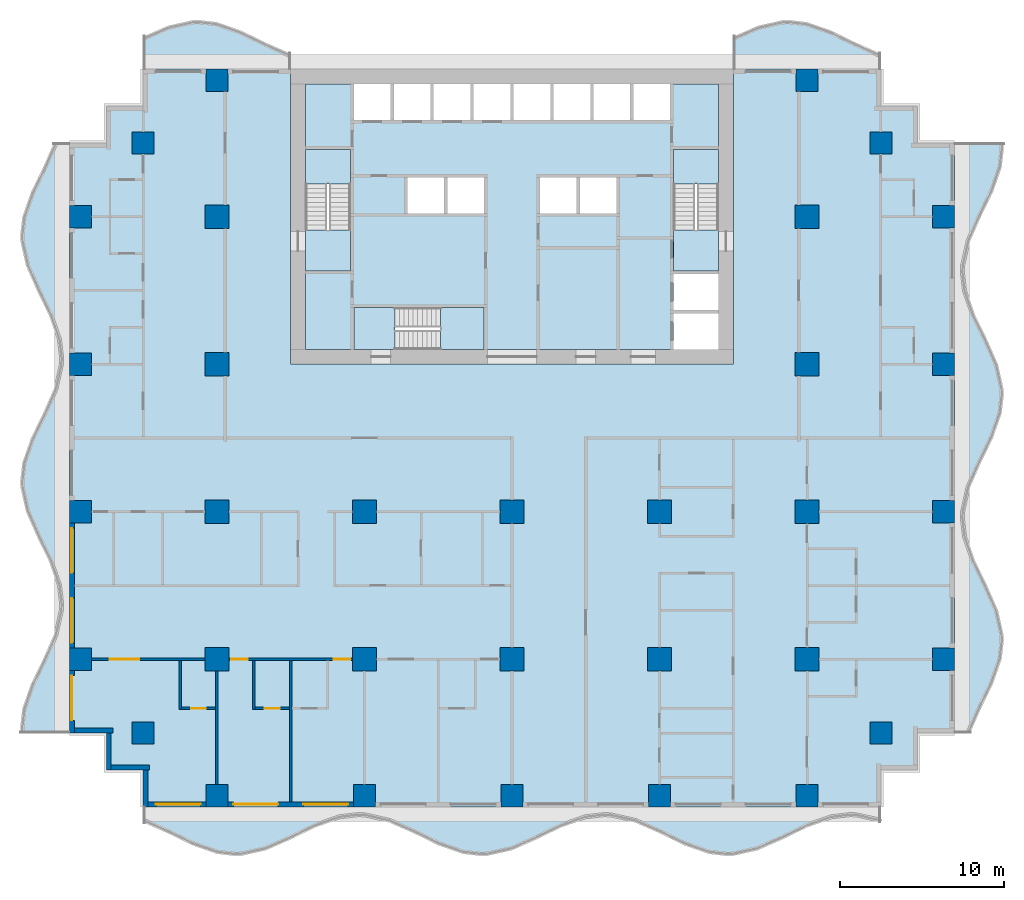
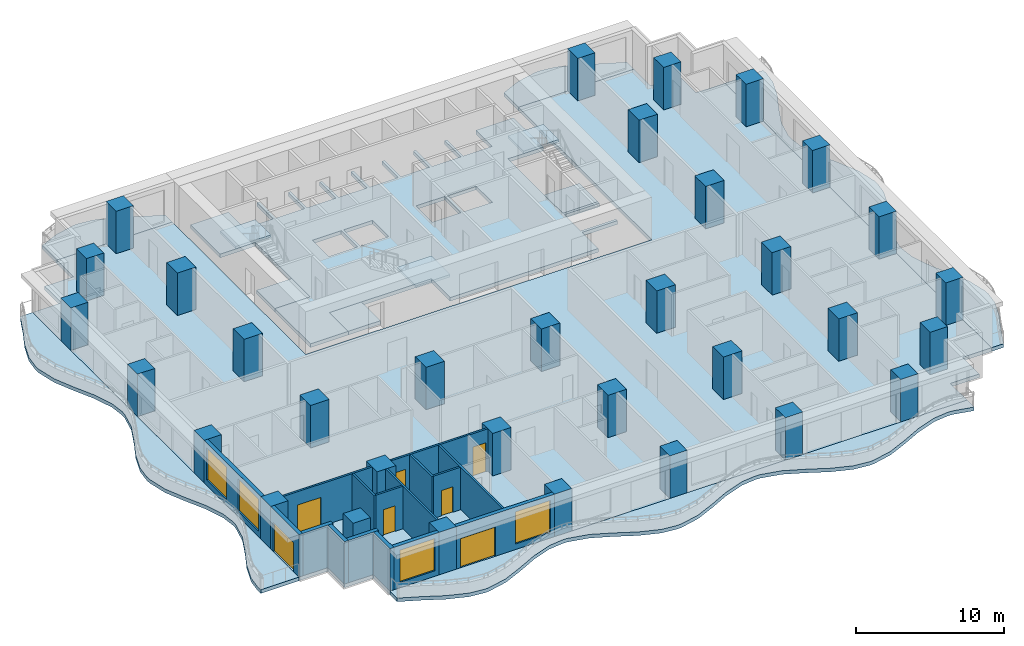
# One storey, part 1 of 14: 33 columns, 16 walls, 13 slabs, 7 doors, 4 windows, 11 openings, 3 elements without a shape of their own.
"""IFC4 building model written with IfcOpenShell, lengths in metres."""

from ifc_helpers import new_model, si_unit, direction, frame, frame_2d, origin, origin_2d, place, context, subcontext, project, spatial, polyline, rectangle, outline, extrude, material, layer, layer_set, material_profile, profile_set, type_object, element, fill, aggregate, save


model = new_model("IFC4")

# Units and contexts
model_context = context("Model", 3, precision=1e-05, world=origin(), true_north=direction((0.0, 1.0)))
body_context = subcontext(model_context, "Body", "Model", "MODEL_VIEW")
ifc_project = project(units=[si_unit("LENGTHUNIT", "METRE"), si_unit("AREAUNIT", "SQUARE_METRE"), si_unit("VOLUMEUNIT", "CUBIC_METRE"), si_unit("PLANEANGLEUNIT", "RADIAN"), si_unit("MASSUNIT", "GRAM", prefix="KILO")], contexts=[model_context])

# Site, building, storey
site_placement = place(None, origin())
site = spatial("IfcSite", under=ifc_project, at=site_placement, CompositionType="ELEMENT")
building_placement = place(site_placement, origin())
building = spatial("IfcBuilding", under=site, at=building_placement, Name="Orbiselva Terraces", CompositionType="ELEMENT")
storey_placement = place(building_placement, frame((0.0, 0.0, 73.2)))
storey = spatial("IfcBuildingStorey", under=building, at=storey_placement, Name="L18", CompositionType="ELEMENT", Elevation=73.2)

# Columns
ifc_material_1 = material(Name="Concrete C70/85", Category="concrete")
ifc_material_profile_1 = material_profile(ifc_material_1, rectangle(XDim=1.45, YDim=1.45, at=origin_2d()), Name="RC 1450x1450")
ifc_profile_set_1 = profile_set([ifc_material_profile_1], Name="Concrete C70/85")
column_type_1 = type_object("IfcColumnType", Name="COLUMN RC 1450x1450", PredefinedType="COLUMN", material=ifc_profile_set_1)
for number, where, z_axis, x_axis, name in (
    (1, (-18.0, -13.5, 0.0), (0.0, 0.0, 1.0), (1.0, 0.0, 0.0), "Column L18-01"),
    (2, (-18.0, -4.5, 0.0), (0.0, 0.0, 1.0), (1.0, 0.0, 0.0), "Column L18-03"),
    (3, (-18.0, 13.5, 0.0), (0.0, 0.0, 1.0), (1.0, 0.0, 0.0), "Column L18-04"),
    (4, (-18.0, 4.5, 0.0), (0.0, 0.0, 1.0), (1.0, 0.0, 0.0), "Column L18-06"),
    (5, (-9.0, -13.5, 0.0), (0.0, 0.0, 1.0), (1.0, 0.0, 0.0), "Column L18-13"),
    (6, (-9.0, -4.5, 0.0), (0.0, 0.0, 1.0), (1.0, 0.0, 0.0), "Column L18-15"),
    (7, (0.0, -13.5, 0.0), (0.0, 0.0, 1.0), (1.0, 0.0, 0.0), "Column L18-16"),
    (8, (0.0, -4.5, 0.0), (0.0, 0.0, 1.0), (1.0, 0.0, 0.0), "Column L18-18"),
    (9, (18.0, -13.5, 0.0), (0.0, 0.0, 1.0), (1.0, 0.0, 0.0), "Column L18-19"),
    (10, (18.0, -4.5, 0.0), (0.0, 0.0, 1.0), (1.0, 0.0, 0.0), "Column L18-21"),
    (11, (18.0, 13.5, 0.0), (0.0, 0.0, 1.0), (1.0, 0.0, 0.0), "Column L18-22"),
    (12, (18.0, 4.5, 0.0), (0.0, 0.0, 1.0), (1.0, 0.0, 0.0), "Column L18-24"),
    (13, (9.0, -13.5, 0.0), (0.0, 0.0, 1.0), (1.0, 0.0, 0.0), "Column L18-31"),
    (14, (9.0, -4.5, 0.0), (0.0, 0.0, 1.0), (1.0, 0.0, 0.0), "Column L18-33"),
):
    element("IfcColumn", number, at=place(storey_placement, frame(where, z_axis=z_axis, x_axis=x_axis)), inside=storey, type_object=column_type_1, Name=name, PredefinedType="COLUMN", context=body_context, shape_type="SweptSolid", body=[
        extrude(rectangle(XDim=1.45, YDim=1.45, at=origin_2d()), origin(), (0.0, 0.0, 1.0), 3.5),
    ])
ifc_material_profile_2 = material_profile(ifc_material_1, rectangle(XDim=1.35, YDim=1.35, at=origin_2d()), Name="RC 1350x1350")
ifc_profile_set_2 = profile_set([ifc_material_profile_2], Name="Concrete C70/85")
column_type_2 = type_object("IfcColumnType", Name="PERIMETER COLUMN RC 1350x1350", PredefinedType="COLUMN", material=ifc_profile_set_2)
for number, where, z_axis, x_axis, name in (
    (15, (-18.0, -21.825, 0.0), (0.0, 0.0, 1.0), (1.0, 0.0, 0.0), "Column L18-02"),
    (16, (-18.0, 21.825, 0.0), (0.0, 0.0, 1.0), (1.0, 0.0, 0.0), "Column L18-05"),
    (17, (-26.325, -13.5, 0.0), (0.0, 0.0, 1.0), (1.0, 0.0, 0.0), "Column L18-07"),
    (18, (-22.5, -18.0, 0.0), (0.0, 0.0, 1.0), (1.0, 0.0, 0.0), "Column L18-08"),
    (19, (-26.325, -4.5, 0.0), (0.0, 0.0, 1.0), (1.0, 0.0, 0.0), "Column L18-09"),
    (20, (-26.325, 13.5, 0.0), (0.0, 0.0, 1.0), (1.0, 0.0, 0.0), "Column L18-10"),
    (21, (-22.5, 18.0, 0.0), (0.0, 0.0, 1.0), (1.0, 0.0, 0.0), "Column L18-11"),
    (22, (-26.325, 4.5, 0.0), (0.0, 0.0, 1.0), (1.0, 0.0, 0.0), "Column L18-12"),
    (23, (-9.0, -21.825, 0.0), (0.0, 0.0, 1.0), (1.0, 0.0, 0.0), "Column L18-14"),
    (24, (0.0, -21.825, 0.0), (0.0, 0.0, 1.0), (1.0, 0.0, 0.0), "Column L18-17"),
    (25, (18.0, -21.825, 0.0), (0.0, 0.0, 1.0), (1.0, 0.0, 0.0), "Column L18-20"),
    (26, (18.0, 21.825, 0.0), (0.0, 0.0, 1.0), (1.0, 0.0, 0.0), "Column L18-23"),
    (27, (26.325, -13.5, 0.0), (0.0, 0.0, 1.0), (1.0, 0.0, 0.0), "Column L18-25"),
    (28, (22.5, -18.0, 0.0), (0.0, 0.0, 1.0), (1.0, 0.0, 0.0), "Column L18-26"),
    (29, (26.325, -4.5, 0.0), (0.0, 0.0, 1.0), (1.0, 0.0, 0.0), "Column L18-27"),
    (30, (26.325, 13.5, 0.0), (0.0, 0.0, 1.0), (1.0, 0.0, 0.0), "Column L18-28"),
    (31, (22.5, 18.0, 0.0), (0.0, 0.0, 1.0), (1.0, 0.0, 0.0), "Column L18-29"),
    (32, (26.325, 4.5, 0.0), (0.0, 0.0, 1.0), (1.0, 0.0, 0.0), "Column L18-30"),
    (33, (9.0, -21.825, 0.0), (0.0, 0.0, 1.0), (1.0, 0.0, 0.0), "Column L18-32"),
):
    element("IfcColumn", number, at=place(storey_placement, frame(where, z_axis=z_axis, x_axis=x_axis)), inside=storey, type_object=column_type_2, Name=name, PredefinedType="COLUMN", context=body_context, shape_type="SweptSolid", body=[
        extrude(rectangle(XDim=1.35, YDim=1.35, at=origin_2d()), origin(), (0.0, 0.0, 1.0), 3.5),
    ])

# Slabs
ifc_material_2 = material(Name="Concrete C40/50", Category="concrete")
ifc_layer_1 = layer(ifc_material_2, 0.3)
ifc_layer_set_1 = layer_set([ifc_layer_1], Name="Concrete C40/50")
slab_type_1 = type_object("IfcSlabType", Name="CORE-SLAB-FLOOR-300", PredefinedType="FLOOR", material=ifc_layer_set_1)
slab_1_placement = place(storey_placement, frame((0.0, 0.0, -0.3)))
element("IfcSlab", 34, at=slab_1_placement, inside=storey, type_object=slab_type_1, Name="L18 S1 floor landing", PredefinedType="FLOOR", context=body_context, shape_type="SweptSolid", body=[
    extrude(outline(polyline([(-12.6, 12.7), (-9.85, 12.7), (-9.85, 10.2), (-12.6, 10.2), (-12.6, 12.7)])), origin(), (0.0, 0.0, 1.0), 0.3),
])
slab_2_placement = place(storey_placement, frame((0.0, 0.0, -0.3)))
element("IfcSlab", 35, at=slab_2_placement, inside=storey, type_object=slab_type_1, Name="L18 S2 floor landing", PredefinedType="FLOOR", context=body_context, shape_type="SweptSolid", body=[
    extrude(outline(polyline([(12.6, 12.7), (12.6, 10.2), (9.85, 10.2), (9.85, 12.7), (12.6, 12.7)])), origin(), (0.0, 0.0, 1.0), 0.3),
])
slab_3_placement = place(storey_placement, frame((0.0, 0.0, -0.3)))
element("IfcSlab", 36, at=slab_3_placement, inside=storey, type_object=slab_type_1, Name="L18 S3 floor landing", PredefinedType="FLOOR", context=body_context, shape_type="SweptSolid", body=[
    extrude(outline(polyline([(-7.15, 5.4), (-9.65, 5.4), (-9.65, 7.95), (-7.15, 7.95), (-7.15, 5.4)])), origin(), (0.0, 0.0, 1.0), 0.3),
])
slab_4_placement = place(storey_placement, frame((0.0, 0.0, -0.3)))
element("IfcSlab", 37, at=slab_4_placement, inside=storey, type_object=slab_type_1, Name="L18 core floor slab 1", PredefinedType="FLOOR", context=body_context, shape_type="SweptSolid", body=[
    extrude(outline(polyline([(-1.7, 5.4), (-1.7, 7.95), (-9.65, 7.95), (-9.65, 5.4), (-12.6, 5.4), (-12.6, 10.2), (-9.85, 10.2), (-9.85, 17.6), (-12.6, 17.6), (-12.6, 21.6), (-9.65, 21.6), (-9.65, 19.4), (-7.4125, 19.4), (-7.4125, 21.6), (-7.2125, 21.6), (-7.2125, 19.4), (-4.975, 19.4), (-4.975, 21.6), (-4.775, 21.6), (-4.775, 19.4), (-2.5375, 19.4), (-2.5375, 21.6), (-2.3375, 21.6), (-2.3375, 19.4), (-0.1, 19.4), (-0.1, 21.6), (0.1, 21.6), (0.1, 19.4), (2.3375, 19.4), (2.3375, 21.6), (2.5375, 21.6), (2.5375, 19.4), (4.775, 19.4), (4.775, 21.6), (4.975, 21.6), (4.975, 19.4), (7.2125, 19.4), (7.2125, 21.6), (7.4125, 21.6), (7.4125, 19.4), (9.65, 19.4), (9.65, 21.6), (12.6, 21.6), (12.6, 17.6), (9.85, 17.6), (9.85, 10.2), (12.6, 10.2), (12.6, 10.0), (9.85, 10.0), (9.85, 7.8), (12.6, 7.8), (12.6, 7.6), (9.85, 7.6), (9.85, 5.4), (-1.7, 5.4)]), holes=[polyline([(-4.1375, 13.7), (-4.1375, 15.9), (-6.375, 15.9), (-6.375, 13.7), (-4.1375, 13.7)]), polyline([(-1.7, 13.7), (-1.7, 15.9), (-3.9375, 15.9), (-3.9375, 13.7), (-1.7, 13.7)]), polyline([(3.9375, 13.7), (3.9375, 15.9), (1.7, 15.9), (1.7, 13.7), (3.9375, 13.7)]), polyline([(6.375, 13.7), (6.375, 15.9), (4.1375, 15.9), (4.1375, 13.7), (6.375, 13.7)])]), origin(), (0.0, 0.0, 1.0), 0.3),
])

# Stair, slab
stair_type_1 = type_object("IfcStairType", Name="CORE-STAIR-1300", PredefinedType="HALF_TURN_STAIR", material=ifc_material_2)
stair_1_placement = place(storey_placement, origin())
stair_1 = element("IfcStair", 38, at=stair_1_placement, inside=storey, type_object=stair_type_1, Name="L18 Exit Stair S1", PredefinedType="HALF_TURN_STAIR")
ifc_layer_2 = layer(ifc_material_2, 0.2)
ifc_layer_set_2 = layer_set([ifc_layer_2], Name="Concrete C40/50")
slab_type_2 = type_object("IfcSlabType", Name="CORE-STAIR-LANDING-200", PredefinedType="LANDING", material=ifc_layer_set_2)
slab_5_placement = place(storey_placement, frame((0.0, 0.0, 1.7)))
slab_5 = element("IfcSlab", 39, at=slab_5_placement, type_object=slab_type_2, Name="S1 landing 1", PredefinedType="LANDING", context=body_context, shape_type="SweptSolid", body=[
    extrude(outline(polyline([(-9.85, 15.5), (-9.85, 17.6), (-12.6, 17.6), (-12.6, 15.5), (-9.85, 15.5)])), origin(), (0.0, 0.0, 1.0), 0.2),
])
aggregate(stair_1, [slab_5])

stair_2_placement = place(storey_placement, origin())
stair_2 = element("IfcStair", 40, at=stair_2_placement, inside=storey, type_object=stair_type_1, Name="L18 Exit Stair S2", PredefinedType="HALF_TURN_STAIR")
slab_6_placement = place(storey_placement, frame((0.0, 0.0, 1.7)))
slab_6 = element("IfcSlab", 41, at=slab_6_placement, type_object=slab_type_2, Name="S2 landing 1", PredefinedType="LANDING", context=body_context, shape_type="SweptSolid", body=[
    extrude(outline(polyline([(12.6, 15.5), (12.6, 17.6), (9.85, 17.6), (9.85, 15.5), (12.6, 15.5)])), origin(), (0.0, 0.0, 1.0), 0.2),
])
aggregate(stair_2, [slab_6])

stair_type_2 = type_object("IfcStairType", Name="CORE-STAIR-1200", PredefinedType="HALF_TURN_STAIR", material=ifc_material_2)
stair_3_placement = place(storey_placement, origin())
stair_3 = element("IfcStair", 42, at=stair_3_placement, inside=storey, type_object=stair_type_2, Name="L18 Exit Stair S3", PredefinedType="HALF_TURN_STAIR")
slab_7_placement = place(storey_placement, frame((0.0, 0.0, 1.7)))
slab_7 = element("IfcSlab", 43, at=slab_7_placement, type_object=slab_type_2, Name="S3 landing 1", PredefinedType="LANDING", context=body_context, shape_type="SweptSolid", body=[
    extrude(outline(polyline([(-4.35, 5.4), (-1.7, 5.4), (-1.7, 7.95), (-4.35, 7.95), (-4.35, 5.4)])), origin(), (0.0, 0.0, 1.0), 0.2),
])
aggregate(stair_3, [slab_7])

# Slabs
ifc_material_3 = material(Name="Concrete C50/60", Category="concrete")
ifc_layer_3 = layer(ifc_material_3, 0.3)
ifc_layer_set_3 = layer_set([ifc_layer_3], Name="Concrete C50/60")
slab_type_3 = type_object("IfcSlabType", Name="ENV-BALCONY-SLAB-300", PredefinedType="FLOOR", material=ifc_layer_set_3)
slab_8_placement = place(storey_placement, frame((0.0, 0.0, -0.3)))
element("IfcSlab", 44, at=slab_8_placement, inside=storey, type_object=slab_type_3, Name="Balcony slab L18 S", PredefinedType="FLOOR", context=body_context, shape_type="SweptSolid", body=[
    extrude(outline(polyline([(-22.5, -23.451472), (-21.0, -24.112279), (-19.5, -24.844789), (-18.0, -25.369208), (-16.875, -25.5), (-16.5, -25.485226), (-15.0, -25.148528), (-13.5, -24.487721), (-12.0, -23.755211), (-10.5, -23.230792), (-9.375, -23.1), (-9.0, -23.114774), (-7.5, -23.451472), (-6.0, -24.112279), (-4.5, -24.844789), (-3.0, -25.369208), (-1.875, -25.5), (-1.5, -25.485226), (0.0, -25.148528), (1.5, -24.487721), (3.0, -23.755211), (4.5, -23.230792), (5.625, -23.1), (6.0, -23.114774), (7.5, -23.451472), (9.0, -24.112279), (10.5, -24.844789), (12.0, -25.369208), (13.125, -25.5), (13.5, -25.485226), (15.0, -25.148528), (16.5, -24.487721), (18.0, -23.755211), (19.5, -23.230792), (20.625, -23.1), (21.0, -23.114774), (22.5, -23.451472), (22.5, -22.5), (-22.5, -22.5), (-22.5, -23.451472)])), origin(), (0.0, 0.0, 1.0), 0.3),
])
slab_9_placement = place(storey_placement, frame((0.0, 0.0, -0.3)))
element("IfcSlab", 45, at=slab_9_placement, inside=storey, type_object=slab_type_3, Name="Balcony slab L18 E", PredefinedType="FLOOR", context=body_context, shape_type="SweptSolid", body=[
    extrude(outline(polyline([(27.951472, -18.0), (28.612279, -16.5), (29.344789, -15.0), (29.869208, -13.5), (30.0, -12.375), (29.985226, -12.0), (29.648528, -10.5), (28.987721, -9.0), (28.255211, -7.5), (27.730792, -6.0), (27.6, -4.875), (27.614774, -4.5), (27.951472, -3.0), (28.612279, -1.5), (29.344789, 0.0), (29.869208, 1.5), (30.0, 2.625), (29.985226, 3.0), (29.648528, 4.5), (28.987721, 6.0), (28.255211, 7.5), (27.730792, 9.0), (27.6, 10.125), (27.614774, 10.5), (27.951472, 12.0), (28.612279, 13.5), (29.344789, 15.0), (29.869208, 16.5), (30.0, 17.625), (29.985226, 18.0), (27.0, 18.0), (27.0, -18.0), (27.951472, -18.0)])), origin(), (0.0, 0.0, 1.0), 0.3),
])
slab_10_placement = place(storey_placement, frame((0.0, 0.0, -0.3)))
element("IfcSlab", 46, at=slab_10_placement, inside=storey, type_object=slab_type_3, Name="Balcony slab L18 NE", PredefinedType="FLOOR", context=body_context, shape_type="SweptSolid", body=[
    extrude(outline(polyline([(22.5, 23.451472), (21.0, 24.112279), (19.5, 24.844789), (18.0, 25.369208), (16.875, 25.5), (16.5, 25.485226), (15.0, 25.148528), (13.5, 24.487721), (13.5, 22.5), (22.5, 22.5), (22.5, 23.451472)])), origin(), (0.0, 0.0, 1.0), 0.3),
])
slab_11_placement = place(storey_placement, frame((0.0, 0.0, -0.3)))
element("IfcSlab", 47, at=slab_11_placement, inside=storey, type_object=slab_type_3, Name="Balcony slab L18 NW", PredefinedType="FLOOR", context=body_context, shape_type="SweptSolid", body=[
    extrude(outline(polyline([(-13.5, 23.451472), (-15.0, 24.112279), (-16.5, 24.844789), (-18.0, 25.369208), (-19.125, 25.5), (-19.5, 25.485226), (-21.0, 25.148528), (-22.5, 24.487721), (-22.5, 22.5), (-13.5, 22.5), (-13.5, 23.451472)])), origin(), (0.0, 0.0, 1.0), 0.3),
])
slab_12_placement = place(storey_placement, frame((0.0, 0.0, -0.3)))
element("IfcSlab", 48, at=slab_12_placement, inside=storey, type_object=slab_type_3, Name="Balcony slab L18 W", PredefinedType="FLOOR", context=body_context, shape_type="SweptSolid", body=[
    extrude(outline(polyline([(-27.951472, 18.0), (-28.612279, 16.5), (-29.344789, 15.0), (-29.869208, 13.5), (-30.0, 12.375), (-29.985226, 12.0), (-29.648528, 10.5), (-28.987721, 9.0), (-28.255211, 7.5), (-27.730792, 6.0), (-27.6, 4.875), (-27.614774, 4.5), (-27.951472, 3.0), (-28.612279, 1.5), (-29.344789, 0.0), (-29.869208, -1.5), (-30.0, -2.625), (-29.985226, -3.0), (-29.648528, -4.5), (-28.987721, -6.0), (-28.255211, -7.5), (-27.730792, -9.0), (-27.6, -10.125), (-27.614774, -10.5), (-27.951472, -12.0), (-28.612279, -13.5), (-29.344789, -15.0), (-29.869208, -16.5), (-30.0, -17.625), (-29.985226, -18.0), (-27.0, -18.0), (-27.0, 18.0), (-27.951472, 18.0)])), origin(), (0.0, 0.0, 1.0), 0.3),
])
ifc_layer_4 = layer(ifc_material_3, 0.3)
ifc_layer_set_4 = layer_set([ifc_layer_4], Name="Concrete C50/60")
slab_type_4 = type_object("IfcSlabType", Name="FLOOR SLAB 300", PredefinedType="FLOOR", material=ifc_layer_set_4)
slab_13_placement = place(storey_placement, frame((0.0, 0.0, -0.3)))
element("IfcSlab", 49, at=slab_13_placement, inside=storey, type_object=slab_type_4, Name="Floor slab L18", PredefinedType="FLOOR", context=body_context, shape_type="SweptSolid", body=[
    extrude(outline(polyline([(22.5, 22.5), (22.5, 20.25), (24.75, 20.25), (24.75, 18.0), (27.0, 18.0), (27.0, -18.0), (24.75, -18.0), (24.75, -20.25), (22.5, -20.25), (22.5, -22.5), (-22.5, -22.5), (-22.5, -20.25), (-24.75, -20.25), (-24.75, -18.0), (-27.0, -18.0), (-27.0, 18.0), (-24.75, 18.0), (-24.75, 20.25), (-22.5, 20.25), (-22.5, 22.5), (-13.5, 22.5), (-13.5, 4.5), (13.5, 4.5), (13.5, 22.5), (22.5, 22.5)])), origin(), (0.0, 0.0, 1.0), 0.3),
])

# Wall, opening, window
ifc_material_4 = material(Name="Terracotta cladding on masonry backing", Category="masonry")
ifc_layer_5 = layer(ifc_material_4, 0.3)
ifc_layer_set_5 = layer_set([ifc_layer_5], Name="Terracotta cladding on masonry backing")
wall_type_1 = type_object("IfcWallType", Name="ENV-WALL-TERRACOTTA-300", PredefinedType="SOLIDWALL", material=ifc_layer_set_5)
wall_1_placement = place(storey_placement, frame((-18.675, -22.35, 0.0), z_axis=(0.0, 0.0, 1.0), x_axis=(-1.0, 0.0, 0.0)))
wall_1 = element("IfcWall", 50, at=wall_1_placement, inside=storey, type_object=wall_type_1, Name="Facade wall L18 S", PredefinedType="SOLIDWALL", context=body_context, shape_type="SweptSolid", body=[
    extrude(rectangle(XDim=3.525, YDim=0.3, at=frame_2d((1.7625, 0.0))), origin(), (0.0, 0.0, 1.0), 3.5),
])
opening_1_placement = place(wall_1_placement, frame((0.325, 0.0, 0.45)))
opening_1 = element("IfcOpeningElement", 51, at=opening_1_placement, cuts=wall_1, Name="Opening WN5", PredefinedType="OPENING", context=body_context, shape_type="SweptSolid", body=[
    extrude(rectangle(XDim=2.725, YDim=2.65, at=frame_2d((1.3625, 1.325))), frame((0.0, 0.16, 0.0), z_axis=(0.0, -1.0, 0.0), x_axis=(1.0, 0.0, 0.0)), (0.0, 0.0, 1.0), 0.32),
])
ifc_material_5 = material(Name="Clear low-e glazing in aluminium frame", Category="aluminium")
window_type = type_object("IfcWindowType", Name="WINDOW 2725 X 2650 S450", PartitioningType="TRIPLE_PANEL_VERTICAL", PredefinedType="WINDOW", material=ifc_material_5)
window_1_placement = place(opening_1_placement, origin())
window_1 = element("IfcWindow", 52, at=window_1_placement, inside=storey, type_object=window_type, Name="Window L18 S", OverallHeight=2.65, OverallWidth=2.725, PartitioningType="SINGLE_PANEL", PredefinedType="WINDOW", context=body_context, shape_type="SweptSolid", body=[
    extrude(rectangle(XDim=2.725, YDim=2.65, at=frame_2d((1.3625, 1.325))), frame((0.0, 0.03, 0.0), z_axis=(0.0, -1.0, 0.0), x_axis=(1.0, 0.0, 0.0)), (0.0, 0.0, 1.0), 0.06),
])
fill(opening_1, window_1)

# Wall, openings, door, window
wall_2_placement = place(storey_placement, frame((-9.675, -22.35, 0.0), z_axis=(0.0, 0.0, 1.0), x_axis=(-1.0, 0.0, 0.0)))
wall_2 = element("IfcWall", 53, at=wall_2_placement, inside=storey, type_object=wall_type_1, Name="Facade wall L18 S", PredefinedType="SOLIDWALL", context=body_context, shape_type="SweptSolid", body=[
    extrude(rectangle(XDim=7.65, YDim=0.3, at=frame_2d((3.825, 0.0))), origin(), (0.0, 0.0, 1.0), 3.5),
])
opening_2_placement = place(wall_2_placement, frame((4.6, 0.0, 0.0)))
opening_2 = element("IfcOpeningElement", 54, at=opening_2_placement, cuts=wall_2, Name="Opening Z2-A-E01", PredefinedType="OPENING", context=body_context, shape_type="SweptSolid", body=[
    extrude(rectangle(XDim=2.725, YDim=2.4, at=frame_2d((1.3625, 1.2))), frame((0.0, 0.16, 0.0), z_axis=(0.0, -1.0, 0.0), x_axis=(1.0, 0.0, 0.0)), (0.0, 0.0, 1.0), 0.32),
])
opening_3_placement = place(wall_2_placement, frame((0.325, 0.0, 0.45)))
opening_3 = element("IfcOpeningElement", 55, at=opening_3_placement, cuts=wall_2, Name="Opening WN5", PredefinedType="OPENING", context=body_context, shape_type="SweptSolid", body=[
    extrude(rectangle(XDim=2.725, YDim=2.65, at=frame_2d((1.3625, 1.325))), frame((0.0, 0.16, 0.0), z_axis=(0.0, -1.0, 0.0), x_axis=(1.0, 0.0, 0.0)), (0.0, 0.0, 1.0), 0.32),
])
door_type_1 = type_object("IfcDoorType", Name="BALCONY DOOR 2725 X 2400", OperationType="DOUBLE_DOOR_SLIDING", PredefinedType="DOOR", material=ifc_material_5)
door_1_placement = place(opening_2_placement, origin())
door_1 = element("IfcDoor", 56, at=door_1_placement, inside=storey, type_object=door_type_1, Name="Z2-A-E01", OperationType="SINGLE_SWING_LEFT", OverallHeight=2.4, OverallWidth=2.725, PredefinedType="DOOR", context=body_context, shape_type="SweptSolid", body=[
    extrude(rectangle(XDim=2.725, YDim=2.4, at=frame_2d((1.3625, 1.2))), frame((0.0, 0.025, 0.0), z_axis=(0.0, -1.0, 0.0), x_axis=(1.0, 0.0, 0.0)), (0.0, 0.0, 1.0), 0.05),
])
fill(opening_2, door_1)
window_2_placement = place(opening_3_placement, origin())
window_2 = element("IfcWindow", 57, at=window_2_placement, inside=storey, type_object=window_type, Name="Window L18 S", OverallHeight=2.65, OverallWidth=2.725, PartitioningType="SINGLE_PANEL", PredefinedType="WINDOW", context=body_context, shape_type="SweptSolid", body=[
    extrude(rectangle(XDim=2.725, YDim=2.65, at=frame_2d((1.3625, 1.325))), frame((0.0, 0.03, 0.0), z_axis=(0.0, -1.0, 0.0), x_axis=(1.0, 0.0, 0.0)), (0.0, 0.0, 1.0), 0.06),
])
fill(opening_3, window_2)

# Wall, openings, windows
wall_3_placement = place(storey_placement, frame((-26.85, -12.825, 0.0), z_axis=(0.0, 0.0, 1.0), x_axis=(0.0, 1.0, 0.0)))
wall_3 = element("IfcWall", 58, at=wall_3_placement, inside=storey, type_object=wall_type_1, Name="Facade wall L18 W", PredefinedType="SOLIDWALL", context=body_context, shape_type="SweptSolid", body=[
    extrude(rectangle(XDim=7.65, YDim=0.3, at=frame_2d((3.825, 0.0))), origin(), (0.0, 0.0, 1.0), 3.5),
])
opening_4_placement = place(wall_3_placement, frame((4.6, 0.0, 0.45)))
opening_4 = element("IfcOpeningElement", 59, at=opening_4_placement, cuts=wall_3, Name="Opening WN5", PredefinedType="OPENING", context=body_context, shape_type="SweptSolid", body=[
    extrude(rectangle(XDim=2.725, YDim=2.65, at=frame_2d((1.3625, 1.325))), frame((0.0, 0.16, 0.0), z_axis=(0.0, -1.0, 0.0), x_axis=(1.0, 0.0, 0.0)), (0.0, 0.0, 1.0), 0.32),
])
opening_5_placement = place(wall_3_placement, frame((0.325, 0.0, 0.45)))
opening_5 = element("IfcOpeningElement", 60, at=opening_5_placement, cuts=wall_3, Name="Opening WN5", PredefinedType="OPENING", context=body_context, shape_type="SweptSolid", body=[
    extrude(rectangle(XDim=2.725, YDim=2.65, at=frame_2d((1.3625, 1.325))), frame((0.0, 0.16, 0.0), z_axis=(0.0, -1.0, 0.0), x_axis=(1.0, 0.0, 0.0)), (0.0, 0.0, 1.0), 0.32),
])
window_3_placement = place(opening_4_placement, origin())
window_3 = element("IfcWindow", 61, at=window_3_placement, inside=storey, type_object=window_type, Name="Window L18 W", OverallHeight=2.65, OverallWidth=2.725, PartitioningType="SINGLE_PANEL", PredefinedType="WINDOW", context=body_context, shape_type="SweptSolid", body=[
    extrude(rectangle(XDim=2.725, YDim=2.65, at=frame_2d((1.3625, 1.325))), frame((0.0, 0.03, 0.0), z_axis=(0.0, -1.0, 0.0), x_axis=(1.0, 0.0, 0.0)), (0.0, 0.0, 1.0), 0.06),
])
fill(opening_4, window_3)
window_4_placement = place(opening_5_placement, origin())
window_4 = element("IfcWindow", 62, at=window_4_placement, inside=storey, type_object=window_type, Name="Window L18 W", OverallHeight=2.65, OverallWidth=2.725, PartitioningType="SINGLE_PANEL", PredefinedType="WINDOW", context=body_context, shape_type="SweptSolid", body=[
    extrude(rectangle(XDim=2.725, YDim=2.65, at=frame_2d((1.3625, 1.325))), frame((0.0, 0.03, 0.0), z_axis=(0.0, -1.0, 0.0), x_axis=(1.0, 0.0, 0.0)), (0.0, 0.0, 1.0), 0.06),
])
fill(opening_5, window_4)

# Wall, opening, door
wall_4_placement = place(storey_placement, frame((-26.85, -18.0, 0.0), z_axis=(0.0, 0.0, 1.0), x_axis=(0.0, 1.0, 0.0)))
wall_4 = element("IfcWall", 63, at=wall_4_placement, inside=storey, type_object=wall_type_1, Name="Facade wall L18 W", PredefinedType="SOLIDWALL", context=body_context, shape_type="SweptSolid", body=[
    extrude(rectangle(XDim=3.825, YDim=0.3, at=frame_2d((1.9125, 0.0))), origin(), (0.0, 0.0, 1.0), 3.5),
])
opening_6_placement = place(wall_4_placement, frame((0.775, 0.0, 0.0)))
opening_6 = element("IfcOpeningElement", 64, at=opening_6_placement, cuts=wall_4, Name="Opening Z2-A-E15", PredefinedType="OPENING", context=body_context, shape_type="SweptSolid", body=[
    extrude(rectangle(XDim=2.725, YDim=2.4, at=frame_2d((1.3625, 1.2))), frame((0.0, 0.16, 0.0), z_axis=(0.0, -1.0, 0.0), x_axis=(1.0, 0.0, 0.0)), (0.0, 0.0, 1.0), 0.32),
])
door_2_placement = place(opening_6_placement, origin())
door_2 = element("IfcDoor", 65, at=door_2_placement, inside=storey, type_object=door_type_1, Name="Z2-A-E15", OperationType="SINGLE_SWING_LEFT", OverallHeight=2.4, OverallWidth=2.725, PredefinedType="DOOR", context=body_context, shape_type="SweptSolid", body=[
    extrude(rectangle(XDim=2.725, YDim=2.4, at=frame_2d((1.3625, 1.2))), frame((0.0, 0.025, 0.0), z_axis=(0.0, -1.0, 0.0), x_axis=(1.0, 0.0, 0.0)), (0.0, 0.0, 1.0), 0.05),
])
fill(opening_6, door_2)

# Walls
wall_5_placement = place(storey_placement, frame((-24.35, -17.85, 0.0), z_axis=(0.0, 0.0, 1.0), x_axis=(-1.0, 0.0, 0.0)))
element("IfcWall", 66, at=wall_5_placement, inside=storey, type_object=wall_type_1, Name="Facade wall L18 STEP", PredefinedType="SOLIDWALL", context=body_context, shape_type="SweptSolid", body=[
    extrude(rectangle(XDim=2.35, YDim=0.3, at=frame_2d((1.175, 0.0))), origin(), (0.0, 0.0, 1.0), 3.5),
])
wall_6_placement = place(storey_placement, frame((-24.6, -20.25, 0.0), z_axis=(0.0, 0.0, 1.0), x_axis=(0.0, 1.0, 0.0)))
element("IfcWall", 67, at=wall_6_placement, inside=storey, type_object=wall_type_1, Name="Facade wall L18 STEP", PredefinedType="SOLIDWALL", context=body_context, shape_type="SweptSolid", body=[
    extrude(rectangle(XDim=2.25, YDim=0.3, at=frame_2d((1.125, 0.0))), origin(), (0.0, 0.0, 1.0), 3.5),
])
wall_7_placement = place(storey_placement, frame((-22.1, -20.1, 0.0), z_axis=(0.0, 0.0, 1.0), x_axis=(-1.0, 0.0, 0.0)))
element("IfcWall", 68, at=wall_7_placement, inside=storey, type_object=wall_type_1, Name="Facade wall L18 STEP", PredefinedType="SOLIDWALL", context=body_context, shape_type="SweptSolid", body=[
    extrude(rectangle(XDim=2.35, YDim=0.3, at=frame_2d((1.175, 0.0))), origin(), (0.0, 0.0, 1.0), 3.5),
])
wall_8_placement = place(storey_placement, frame((-22.35, -22.5, 0.0), z_axis=(0.0, 0.0, 1.0), x_axis=(0.0, 1.0, 0.0)))
element("IfcWall", 69, at=wall_8_placement, inside=storey, type_object=wall_type_1, Name="Facade wall L18 STEP", PredefinedType="SOLIDWALL", context=body_context, shape_type="SweptSolid", body=[
    extrude(rectangle(XDim=2.25, YDim=0.3, at=frame_2d((1.125, 0.0))), origin(), (0.0, 0.0, 1.0), 3.5),
])

# Wall, opening, door
ifc_material_6 = material(Name="Plasterboard on steel stud partition", Category="steel")
ifc_layer_6 = layer(ifc_material_6, 0.15)
ifc_layer_set_6 = layer_set([ifc_layer_6], Name="Plasterboard on steel stud partition")
wall_type_2 = type_object("IfcWallType", Name="UNIT-PARTITION-150", PredefinedType="PARTITIONING", material=ifc_layer_set_6)
wall_9_placement = place(storey_placement, frame((-20.175, -16.5, 0.0), z_axis=(0.0, 0.0, 1.0), x_axis=(1.0, 0.0, 0.0)))
wall_9 = element("IfcWall", 70, at=wall_9_placement, inside=storey, type_object=wall_type_2, Name="PARTITION L18-003", PredefinedType="PARTITIONING", context=body_context, shape_type="SweptSolid", body=[
    extrude(rectangle(XDim=2.1, YDim=0.15, at=frame_2d((1.05, 0.0))), origin(), (0.0, 0.0, 1.0), 3.5),
])
opening_7_placement = place(wall_9_placement, frame((0.6, 0.0, 0.0)))
opening_7 = element("IfcOpeningElement", 71, at=opening_7_placement, cuts=wall_9, Name="Opening Z2-A-24", PredefinedType="OPENING", context=body_context, shape_type="SweptSolid", body=[
    extrude(rectangle(XDim=0.9, YDim=2.1, at=frame_2d((0.45, 1.05))), frame((0.0, 0.085, 0.0), z_axis=(0.0, -1.0, 0.0), x_axis=(1.0, 0.0, 0.0)), (0.0, 0.0, 1.0), 0.17),
])
ifc_material_7 = material(Name="Painted timber door leaf", Category="wood")
door_type_2 = type_object("IfcDoorType", Name="BATH DOOR 900", OperationType="NOTDEFINED", PredefinedType="DOOR", material=ifc_material_7)
door_3_placement = place(opening_7_placement, origin())
door_3 = element("IfcDoor", 72, at=door_3_placement, inside=storey, type_object=door_type_2, Name="Z2-A-24", OperationType="SINGLE_SWING_LEFT", OverallHeight=2.1, OverallWidth=0.9, PredefinedType="DOOR", context=body_context, shape_type="SweptSolid", body=[
    extrude(rectangle(XDim=0.9, YDim=2.1, at=frame_2d((0.45, 1.05))), frame((0.0, 0.025, 0.0), z_axis=(0.0, -1.0, 0.0), x_axis=(1.0, 0.0, 0.0)), (0.0, 0.0, 1.0), 0.05),
])
fill(opening_7, door_3)

wall_10_placement = place(storey_placement, frame((-15.675, -16.5, 0.0), z_axis=(0.0, 0.0, 1.0), x_axis=(1.0, 0.0, 0.0)))
wall_10 = element("IfcWall", 73, at=wall_10_placement, inside=storey, type_object=wall_type_2, Name="PARTITION L18-004", PredefinedType="PARTITIONING", context=body_context, shape_type="SweptSolid", body=[
    extrude(rectangle(XDim=2.1, YDim=0.15, at=frame_2d((1.05, 0.0))), origin(), (0.0, 0.0, 1.0), 3.5),
])
opening_8_placement = place(wall_10_placement, frame((0.6, 0.0, 0.0)))
opening_8 = element("IfcOpeningElement", 74, at=opening_8_placement, cuts=wall_10, Name="Opening Z2-A-26", PredefinedType="OPENING", context=body_context, shape_type="SweptSolid", body=[
    extrude(rectangle(XDim=0.9, YDim=2.1, at=frame_2d((0.45, 1.05))), frame((0.0, 0.085, 0.0), z_axis=(0.0, -1.0, 0.0), x_axis=(1.0, 0.0, 0.0)), (0.0, 0.0, 1.0), 0.17),
])
door_4_placement = place(opening_8_placement, origin())
door_4 = element("IfcDoor", 75, at=door_4_placement, inside=storey, type_object=door_type_2, Name="Z2-A-26", OperationType="SINGLE_SWING_LEFT", OverallHeight=2.1, OverallWidth=0.9, PredefinedType="DOOR", context=body_context, shape_type="SweptSolid", body=[
    extrude(rectangle(XDim=0.9, YDim=2.1, at=frame_2d((0.45, 1.05))), frame((0.0, 0.025, 0.0), z_axis=(0.0, -1.0, 0.0), x_axis=(1.0, 0.0, 0.0)), (0.0, 0.0, 1.0), 0.05),
])
fill(opening_8, door_4)

wall_11_placement = place(storey_placement, frame((-18.725, -13.5, 0.0), z_axis=(0.0, 0.0, 1.0), x_axis=(-1.0, 0.0, 0.0)))
wall_11 = element("IfcWall", 76, at=wall_11_placement, inside=storey, type_object=wall_type_2, Name="PARTITION L18-009", PredefinedType="PARTITIONING", context=body_context, shape_type="SweptSolid", body=[
    extrude(rectangle(XDim=6.925, YDim=0.15, at=frame_2d((3.4625, 0.0))), origin(), (0.0, 0.0, 1.0), 3.5),
])
opening_9_placement = place(wall_11_placement, frame((4.025, 0.0, 0.0)))
opening_9 = element("IfcOpeningElement", 77, at=opening_9_placement, cuts=wall_11, Name="Opening Z2-A-23", PredefinedType="OPENING", context=body_context, shape_type="SweptSolid", body=[
    extrude(rectangle(XDim=1.8, YDim=2.4, at=frame_2d((0.9, 1.2))), frame((0.0, 0.085, 0.0), z_axis=(0.0, -1.0, 0.0), x_axis=(1.0, 0.0, 0.0)), (0.0, 0.0, 1.0), 0.17),
])
door_type_3 = type_object("IfcDoorType", Name="DOUBLE DOOR 1800", OperationType="NOTDEFINED", PredefinedType="DOOR", material=ifc_material_7)
door_5_placement = place(opening_9_placement, origin())
door_5 = element("IfcDoor", 78, at=door_5_placement, inside=storey, type_object=door_type_3, Name="Z2-A-23", OperationType="DOUBLE_DOOR_SINGLE_SWING", OverallHeight=2.4, OverallWidth=1.8, PredefinedType="DOOR", context=body_context, shape_type="SweptSolid", body=[
    extrude(rectangle(XDim=1.8, YDim=2.4, at=frame_2d((0.9, 1.2))), frame((0.0, 0.025, 0.0), z_axis=(0.0, -1.0, 0.0), x_axis=(1.0, 0.0, 0.0)), (0.0, 0.0, 1.0), 0.05),
])
fill(opening_9, door_5)

# Wall, openings, doors
wall_12_placement = place(storey_placement, frame((-9.725, -13.5, 0.0), z_axis=(0.0, 0.0, 1.0), x_axis=(-1.0, 0.0, 0.0)))
wall_12 = element("IfcWall", 79, at=wall_12_placement, inside=storey, type_object=wall_type_2, Name="PARTITION L18-010", PredefinedType="PARTITIONING", context=body_context, shape_type="SweptSolid", body=[
    extrude(rectangle(XDim=7.55, YDim=0.15, at=frame_2d((3.775, 0.0))), origin(), (0.0, 0.0, 1.0), 3.5),
])
opening_10_placement = place(wall_12_placement, frame((6.4, 0.0, 0.0)))
opening_10 = element("IfcOpeningElement", 80, at=opening_10_placement, cuts=wall_12, Name="Opening Z2-A-25", PredefinedType="OPENING", context=body_context, shape_type="SweptSolid", body=[
    extrude(rectangle(XDim=1.0, YDim=2.4, at=frame_2d((0.5, 1.2))), frame((0.0, 0.085, 0.0), z_axis=(0.0, -1.0, 0.0), x_axis=(1.0, 0.0, 0.0)), (0.0, 0.0, 1.0), 0.17),
])
opening_11_placement = place(wall_12_placement, frame((0.15, 0.0, 0.0)))
opening_11 = element("IfcOpeningElement", 81, at=opening_11_placement, cuts=wall_12, Name="Opening Z2-A-27", PredefinedType="OPENING", context=body_context, shape_type="SweptSolid", body=[
    extrude(rectangle(XDim=1.0, YDim=2.4, at=frame_2d((0.5, 1.2))), frame((0.0, 0.085, 0.0), z_axis=(0.0, -1.0, 0.0), x_axis=(1.0, 0.0, 0.0)), (0.0, 0.0, 1.0), 0.17),
])
door_type_4 = type_object("IfcDoorType", Name="ROOM DOOR 1000", OperationType="NOTDEFINED", PredefinedType="DOOR", material=ifc_material_7)
door_6_placement = place(opening_10_placement, origin())
door_6 = element("IfcDoor", 82, at=door_6_placement, inside=storey, type_object=door_type_4, Name="Z2-A-25", OperationType="SINGLE_SWING_RIGHT", OverallHeight=2.4, OverallWidth=1.0, PredefinedType="DOOR", context=body_context, shape_type="SweptSolid", body=[
    extrude(rectangle(XDim=1.0, YDim=2.4, at=frame_2d((0.5, 1.2))), frame((0.0, 0.025, 0.0), z_axis=(0.0, -1.0, 0.0), x_axis=(1.0, 0.0, 0.0)), (0.0, 0.0, 1.0), 0.05),
])
fill(opening_10, door_6)
door_7_placement = place(opening_11_placement, origin())
door_7 = element("IfcDoor", 83, at=door_7_placement, inside=storey, type_object=door_type_4, Name="Z2-A-27", OperationType="SINGLE_SWING_LEFT", OverallHeight=2.4, OverallWidth=1.0, PredefinedType="DOOR", context=body_context, shape_type="SweptSolid", body=[
    extrude(rectangle(XDim=1.0, YDim=2.4, at=frame_2d((0.5, 1.2))), frame((0.0, 0.025, 0.0), z_axis=(0.0, -1.0, 0.0), x_axis=(1.0, 0.0, 0.0)), (0.0, 0.0, 1.0), 0.05),
])
fill(opening_11, door_7)

# Walls
wall_13_placement = place(storey_placement, frame((-20.25, -16.575, 0.0), z_axis=(0.0, 0.0, 1.0), x_axis=(0.0, 1.0, 0.0)))
element("IfcWall", 84, at=wall_13_placement, inside=storey, type_object=wall_type_2, Name="PARTITION L18-049", PredefinedType="PARTITIONING", context=body_context, shape_type="SweptSolid", body=[
    extrude(rectangle(XDim=3.0, YDim=0.15, at=frame_2d((1.5, 0.0))), origin(), (0.0, 0.0, 1.0), 3.5),
])
wall_14_placement = place(storey_placement, frame((-18.0, -21.15, 0.0), z_axis=(0.0, 0.0, 1.0), x_axis=(0.0, 1.0, 0.0)))
element("IfcWall", 85, at=wall_14_placement, inside=storey, type_object=wall_type_2, Name="PARTITION L18-050", PredefinedType="PARTITIONING", context=body_context, shape_type="SweptSolid", body=[
    extrude(rectangle(XDim=6.925, YDim=0.15, at=frame_2d((3.4625, 0.0))), origin(), (0.0, 0.0, 1.0), 3.5),
])
wall_15_placement = place(storey_placement, frame((-15.75, -16.575, 0.0), z_axis=(0.0, 0.0, 1.0), x_axis=(0.0, 1.0, 0.0)))
element("IfcWall", 86, at=wall_15_placement, inside=storey, type_object=wall_type_2, Name="PARTITION L18-054", PredefinedType="PARTITIONING", context=body_context, shape_type="SweptSolid", body=[
    extrude(rectangle(XDim=3.0, YDim=0.15, at=frame_2d((1.5, 0.0))), origin(), (0.0, 0.0, 1.0), 3.5),
])
wall_16_placement = place(storey_placement, frame((-13.5, -22.2, 0.0), z_axis=(0.0, 0.0, 1.0), x_axis=(0.0, 1.0, 0.0)))
element("IfcWall", 87, at=wall_16_placement, inside=storey, type_object=wall_type_2, Name="PARTITION L18-056", PredefinedType="PARTITIONING", context=body_context, shape_type="SweptSolid", body=[
    extrude(rectangle(XDim=8.625, YDim=0.15, at=frame_2d((4.3125, 0.0))), origin(), (0.0, 0.0, 1.0), 3.5),
])

save(model, "model.ifc")
